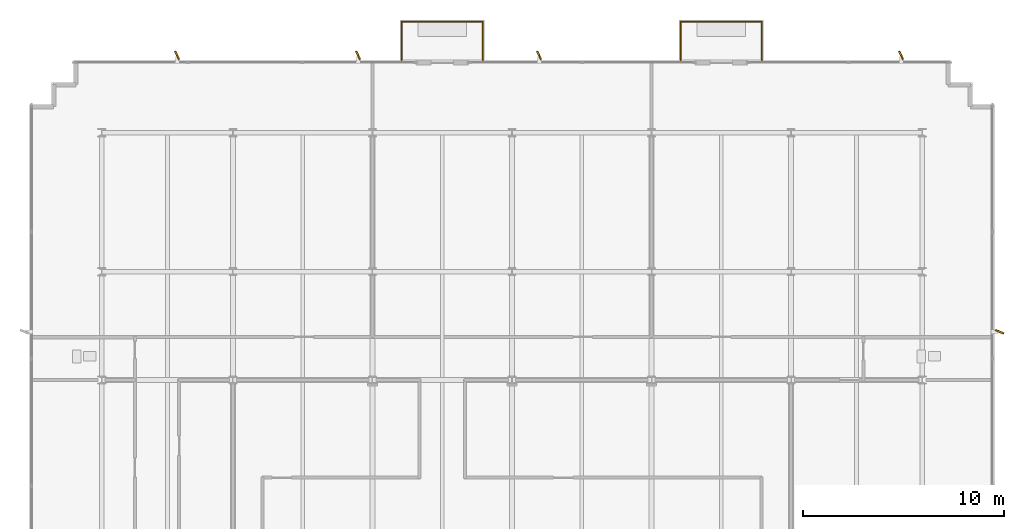
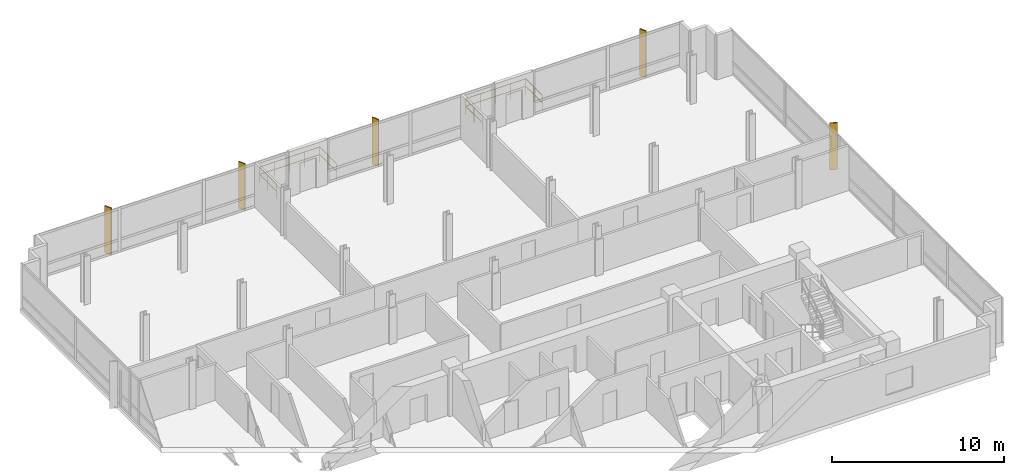
# One storey, part 12 of 13: 6 railings, 5 shading devices.
"""IFC4 building model written with IfcOpenShell, lengths in metres."""

from ifc_helpers import new_model, si_unit, direction, frame, origin, origin_2d, place, context, subcontext, project, spatial, rectangle, circle, extrude, material, layer, layer_set, type_object, element, save


model = new_model("IFC4")

# Units and contexts
model_context = context("Model", 3, precision=1e-05, world=origin(), true_north=direction((0.0, 1.0)))
body_context = subcontext(model_context, "Body", "Model", "MODEL_VIEW")
ifc_project = project(units=[si_unit("LENGTHUNIT", "METRE"), si_unit("AREAUNIT", "SQUARE_METRE"), si_unit("VOLUMEUNIT", "CUBIC_METRE"), si_unit("PLANEANGLEUNIT", "RADIAN"), si_unit("MASSUNIT", "GRAM", prefix="KILO")], contexts=[model_context])

# Site, building, storey
site_placement = place(None, origin())
site = spatial("IfcSite", under=ifc_project, at=site_placement, CompositionType="ELEMENT")
building_placement = place(site_placement, origin())
building = spatial("IfcBuilding", under=site, at=building_placement, Name="Solmavex Isthmus Hotel", CompositionType="ELEMENT")
storey_placement = place(building_placement, frame((0.0, 0.0, 276.449951171875)))
storey = spatial("IfcBuildingStorey", under=building, at=storey_placement, Name="L75", CompositionType="ELEMENT", Elevation=276.449951171875)

# Railings
ifc_material_1 = material(Name="Clear low-E laminated glass", Category="glass")
ifc_layer = layer(ifc_material_1, 0.070068359375)
ifc_layer_set = layer_set([ifc_layer], Name="Clear low-E laminated glass")
railing_type = type_object("IfcRailingType", Name="RAIL-GUARD-1100", PredefinedType="BALUSTRADE", material=ifc_layer_set)
railing_1_placement = place(storey_placement, frame((-5.488037109375, 21.300048828125, 0.0)))
element("IfcRailing", 1, at=railing_1_placement, inside=storey, type_object=railing_type, Name="Guardrail Balustrade L75-BAL1-01", PredefinedType="BALUSTRADE", context=body_context, shape_type="SweptSolid", body=[
    extrude(circle(Radius=0.02392578125, at=origin_2d()), frame((0.0, 0.0, 1.09619140625), z_axis=(0.0, 1.0, 0.0), x_axis=(-1.0, 0.0, 0.0)), (0.0, 0.0, 1.0), 1.919921875),
    extrude(circle(Radius=0.02392578125, at=origin_2d()), frame((0.0, 0.0, 0.56005859375), z_axis=(0.0, 1.0, 0.0), x_axis=(-1.0, 0.0, 0.0)), (0.0, 0.0, 1.0), 1.919921875),
    extrude(circle(Radius=0.02099609375, at=origin_2d()), origin(), (0.0, 0.0, 1.0), 1.072021484375),
    extrude(circle(Radius=0.02099609375, at=origin_2d()), frame((0.0, 0.9599609375, 0.0)), (0.0, 0.0, 1.0), 1.072021484375),
    extrude(circle(Radius=0.02099609375, at=origin_2d()), frame((0.0, 1.919921875, 0.0)), (0.0, 0.0, 1.0), 1.072021484375),
])
railing_2_placement = place(storey_placement, frame((-5.488037109375, 23.219970703125, 0.0)))
element("IfcRailing", 2, at=railing_2_placement, inside=storey, type_object=railing_type, Name="Guardrail Balustrade L75-BAL1-02", PredefinedType="BALUSTRADE", context=body_context, shape_type="SweptSolid", body=[
    extrude(circle(Radius=0.02392578125, at=origin_2d()), frame((0.0, 0.0, 1.09619140625), z_axis=(1.0, 0.0, 0.0), x_axis=(0.0, 1.0, 0.0)), (0.0, 0.0, 1.0), 4.0400390625),
    extrude(circle(Radius=0.02392578125, at=origin_2d()), frame((0.0, 0.0, 0.56005859375), z_axis=(1.0, 0.0, 0.0), x_axis=(0.0, 1.0, 0.0)), (0.0, 0.0, 1.0), 4.0400390625),
    extrude(circle(Radius=0.02099609375, at=origin_2d()), origin(), (0.0, 0.0, 1.0), 1.072021484375),
    extrude(circle(Radius=0.02099609375, at=origin_2d()), frame((1.010009765625, 0.0, 0.0)), (0.0, 0.0, 1.0), 1.072021484375),
    extrude(circle(Radius=0.02099609375, at=origin_2d()), frame((2.02001953125, 0.0, 0.0)), (0.0, 0.0, 1.0), 1.072021484375),
    extrude(circle(Radius=0.02099609375, at=origin_2d()), frame((3.030029296875, 0.0, 0.0)), (0.0, 0.0, 1.0), 1.072021484375),
    extrude(circle(Radius=0.02099609375, at=origin_2d()), frame((4.0400390625, 0.0, 0.0)), (0.0, 0.0, 1.0), 1.072021484375),
])
railing_3_placement = place(storey_placement, frame((-1.447998046875, 23.219970703125, 0.0)))
element("IfcRailing", 3, at=railing_3_placement, inside=storey, type_object=railing_type, Name="Guardrail Balustrade L75-BAL1-03", PredefinedType="BALUSTRADE", context=body_context, shape_type="SweptSolid", body=[
    extrude(circle(Radius=0.02392578125, at=origin_2d()), frame((0.0, 0.0, 1.09619140625), z_axis=(0.0, -1.0, 0.0), x_axis=(1.0, 0.0, 0.0)), (0.0, 0.0, 1.0), 1.919921875),
    extrude(circle(Radius=0.02392578125, at=origin_2d()), frame((0.0, 0.0, 0.56005859375), z_axis=(0.0, -1.0, 0.0), x_axis=(1.0, 0.0, 0.0)), (0.0, 0.0, 1.0), 1.919921875),
    extrude(circle(Radius=0.02099609375, at=origin_2d()), origin(), (0.0, 0.0, 1.0), 1.072021484375),
    extrude(circle(Radius=0.02099609375, at=origin_2d()), frame((0.0, -0.9599609375, 0.0)), (0.0, 0.0, 1.0), 1.072021484375),
    extrude(circle(Radius=0.02099609375, at=origin_2d()), frame((0.0, -1.919921875, 0.0)), (0.0, 0.0, 1.0), 1.072021484375),
])
railing_4_placement = place(storey_placement, frame((8.384033203125, 21.300048828125, 0.0)))
element("IfcRailing", 4, at=railing_4_placement, inside=storey, type_object=railing_type, Name="Guardrail Balustrade L75-BAL2-01", PredefinedType="BALUSTRADE", context=body_context, shape_type="SweptSolid", body=[
    extrude(circle(Radius=0.02392578125, at=origin_2d()), frame((0.0, 0.0, 1.09619140625), z_axis=(0.0, 1.0, 0.0), x_axis=(-1.0, 0.0, 0.0)), (0.0, 0.0, 1.0), 1.919921875),
    extrude(circle(Radius=0.02392578125, at=origin_2d()), frame((0.0, 0.0, 0.56005859375), z_axis=(0.0, 1.0, 0.0), x_axis=(-1.0, 0.0, 0.0)), (0.0, 0.0, 1.0), 1.919921875),
    extrude(circle(Radius=0.02099609375, at=origin_2d()), origin(), (0.0, 0.0, 1.0), 1.072021484375),
    extrude(circle(Radius=0.02099609375, at=origin_2d()), frame((0.0, 0.9599609375, 0.0)), (0.0, 0.0, 1.0), 1.072021484375),
    extrude(circle(Radius=0.02099609375, at=origin_2d()), frame((0.0, 1.919921875, 0.0)), (0.0, 0.0, 1.0), 1.072021484375),
])
railing_5_placement = place(storey_placement, frame((8.384033203125, 23.219970703125, 0.0)))
element("IfcRailing", 5, at=railing_5_placement, inside=storey, type_object=railing_type, Name="Guardrail Balustrade L75-BAL2-02", PredefinedType="BALUSTRADE", context=body_context, shape_type="SweptSolid", body=[
    extrude(circle(Radius=0.02392578125, at=origin_2d()), frame((0.0, 0.0, 1.09619140625), z_axis=(1.0, 0.0, 0.0), x_axis=(0.0, 1.0, 0.0)), (0.0, 0.0, 1.0), 4.0400390625),
    extrude(circle(Radius=0.02392578125, at=origin_2d()), frame((0.0, 0.0, 0.56005859375), z_axis=(1.0, 0.0, 0.0), x_axis=(0.0, 1.0, 0.0)), (0.0, 0.0, 1.0), 4.0400390625),
    extrude(circle(Radius=0.02099609375, at=origin_2d()), origin(), (0.0, 0.0, 1.0), 1.072021484375),
    extrude(circle(Radius=0.02099609375, at=origin_2d()), frame((1.010009765625, 0.0, 0.0)), (0.0, 0.0, 1.0), 1.072021484375),
    extrude(circle(Radius=0.02099609375, at=origin_2d()), frame((2.02001953125, 0.0, 0.0)), (0.0, 0.0, 1.0), 1.072021484375),
    extrude(circle(Radius=0.02099609375, at=origin_2d()), frame((3.030029296875, 0.0, 0.0)), (0.0, 0.0, 1.0), 1.072021484375),
    extrude(circle(Radius=0.02099609375, at=origin_2d()), frame((4.0400390625, 0.0, 0.0)), (0.0, 0.0, 1.0), 1.072021484375),
])
railing_6_placement = place(storey_placement, frame((12.424072265625, 23.219970703125, 0.0)))
element("IfcRailing", 6, at=railing_6_placement, inside=storey, type_object=railing_type, Name="Guardrail Balustrade L75-BAL2-03", PredefinedType="BALUSTRADE", context=body_context, shape_type="SweptSolid", body=[
    extrude(circle(Radius=0.02392578125, at=origin_2d()), frame((0.0, 0.0, 1.09619140625), z_axis=(0.0, -1.0, 0.0), x_axis=(1.0, 0.0, 0.0)), (0.0, 0.0, 1.0), 1.919921875),
    extrude(circle(Radius=0.02392578125, at=origin_2d()), frame((0.0, 0.0, 0.56005859375), z_axis=(0.0, -1.0, 0.0), x_axis=(1.0, 0.0, 0.0)), (0.0, 0.0, 1.0), 1.919921875),
    extrude(circle(Radius=0.02099609375, at=origin_2d()), origin(), (0.0, 0.0, 1.0), 1.072021484375),
    extrude(circle(Radius=0.02099609375, at=origin_2d()), frame((0.0, -0.9599609375, 0.0)), (0.0, 0.0, 1.0), 1.072021484375),
    extrude(circle(Radius=0.02099609375, at=origin_2d()), frame((0.0, -1.919921875, 0.0)), (0.0, 0.0, 1.0), 1.072021484375),
])

# Shading devices
ifc_material_2 = material(Name="Aluminium alloy 6063-T6", Category="aluminium")
shading_device_type = type_object("IfcShadingDeviceType", Name="SHD-FIN-BRONZE", PredefinedType="USERDEFINED", material=ifc_material_2)
for number, where, z_axis, x_axis, name in (
    (7, (-16.64990234375, 21.5400390625, -0.139892578125), (0.0, 0.0, 1.0), (-0.438371146789, 0.898794046299, 0.0), "Anodised Aluminium Solar Fin L75-N1"),
    (8, (-7.64990234375, 21.5400390625, -0.139892578125), (0.0, 0.0, 1.0), (-0.438371146789, 0.898794046299, 0.0), "Anodised Aluminium Solar Fin L75-N2"),
    (9, (1.35009765625, 21.5400390625, -0.139892578125), (0.0, 0.0, 1.0), (-0.438371146789, 0.898794046299, 0.0), "Anodised Aluminium Solar Fin L75-N3"),
    (10, (19.35009765625, 21.5400390625, -0.139892578125), (0.0, 0.0, 1.0), (-0.438371146789, 0.898794046299, 0.0), "Anodised Aluminium Solar Fin L75-N4"),
    (11, (24.239990234375, 7.800048828125, -0.139892578125), (0.0, 0.0, 1.0), (0.913545457643, -0.406736643076, 0.0), "Anodised Aluminium Solar Fin L75-E1"),
):
    element("IfcShadingDevice", number, at=place(storey_placement, frame(where, z_axis=z_axis, x_axis=x_axis)), inside=storey, type_object=shading_device_type, Name=name, ObjectType="SOLAR_FIN", PredefinedType="USERDEFINED", context=body_context, shape_type="SweptSolid", body=[
        extrude(rectangle(XDim=0.449951171875, YDim=0.080078125, at=origin_2d()), origin(), (0.0, 0.0, 1.0), 3.330078125),
    ])

save(model, "model.ifc")
